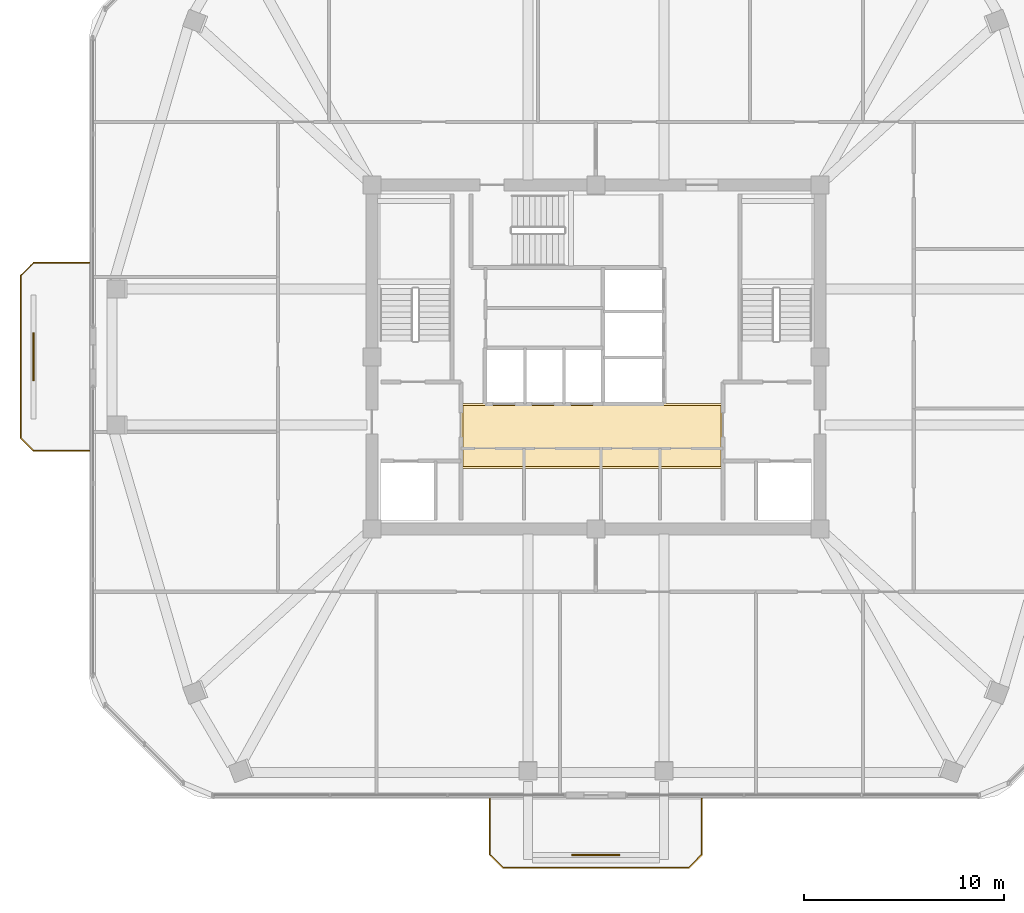
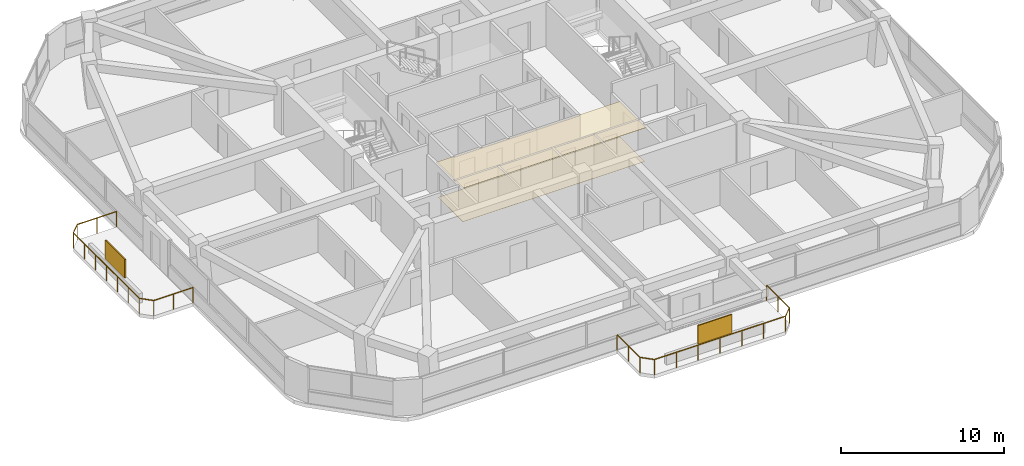
# One storey, part 12 of 13: 2 coverings, 2 railings, 2 shading devices.
"""IFC4 building model written with IfcOpenShell, lengths in metres."""

import ifcopenshell
import ifcopenshell.guid

model = None  # the IFC model being written
_history = None  # IfcOwnerHistory: only IFC2X3 demands one
_inside = {}  # id of a spatial element -> (the spatial element, [elements in it])
_under = {}  # id of a project, library or spatial element -> (it, [spatial elements below it])
_declared = {}  # id of a project -> (the project, [libraries it declares])
_typed = {}  # id of a type object -> (the type object, [elements of that type])
_made_of = {}  # id of a material, layer set ... -> (it, [elements and type objects made of it])


def new_model(schema):
    """Start an empty IFC model of exactly this schema.

    Asked for "IFC4X3", IfcOpenShell would pick the latest addendum, in which some entities
    have other attributes; the version numbers below select the first issue.
    IFC2X3 requires an IfcOwnerHistory on every rooted entity: one is made here for all.
    """
    global model, _history
    if schema == "IFC4X3":
        model = ifcopenshell.file(schema_version=(4, 3, 0, 0))
    else:
        model = ifcopenshell.file(schema=schema)
    _inside.clear()
    _under.clear()
    _declared.clear()
    _typed.clear()
    _made_of.clear()
    _history = None
    if model.schema == "IFC2X3":
        org = make("IfcOrganization", Name="unknown")
        user = make(
            "IfcPersonAndOrganization",
            ThePerson=make("IfcPerson", FamilyName="unknown"),
            TheOrganization=org,
        )
        app = make(
            "IfcApplication",
            ApplicationDeveloper=org,
            Version="unknown",
            ApplicationFullName="unknown",
            ApplicationIdentifier="unknown",
        )
        _history = make(
            "IfcOwnerHistory",
            OwningUser=user,
            OwningApplication=app,
            ChangeAction="ADDED",
            CreationDate=0,
        )
    return model


def make(cls, **values):
    """One entity of the class cls with the attributes given. An attribute that is None is left unset."""
    return model.create_entity(
        cls, **{name: value for name, value in values.items() if value is not None}
    )


def rooted(cls, **values):
    """An entity with a GlobalId (a new one), such as an element, a storey or a relation."""
    return make(cls, GlobalId=ifcopenshell.guid.new(), OwnerHistory=_history, **values)


def si_unit(unit_type, name, prefix=None):
    """IfcSIUnit, for example si_unit("LENGTHUNIT", "METRE", prefix="MILLI")."""
    return make("IfcSIUnit", UnitType=unit_type, Prefix=prefix, Name=name)


def derived_unit(unit_type, elements):
    """IfcDerivedUnit: a product of units, each with its exponent."""
    return make(
        "IfcDerivedUnit",
        Elements=[
            make("IfcDerivedUnitElement", Unit=unit, Exponent=power)
            for unit, power in elements
        ],
        UnitType=unit_type,
    )


def assignment(units):
    """IfcUnitAssignment: the units of a project."""
    return None if units is None else make("IfcUnitAssignment", Units=units)


def point(xyz):
    """IfcCartesianPoint."""
    return None if xyz is None else make("IfcCartesianPoint", Coordinates=xyz)


def direction(xyz):
    """IfcDirection."""
    return None if xyz is None else make("IfcDirection", DirectionRatios=xyz)


def frame(location, z_axis=None, x_axis=None):
    """IfcAxis2Placement3D, a coordinate frame: its origin and axes. An axis left out is left unset."""
    return make(
        "IfcAxis2Placement3D",
        Location=point(location),
        Axis=direction(z_axis),
        RefDirection=direction(x_axis),
    )


def frame_2d(location, x_axis=None):
    """IfcAxis2Placement2D, a coordinate frame in the plane: its origin and x axis."""
    return make(
        "IfcAxis2Placement2D", Location=point(location), RefDirection=direction(x_axis)
    )


def origin():
    """The frame at (0, 0, 0) with its axes left unset."""
    return frame((0.0, 0.0, 0.0))


def origin_2d():
    """The frame at (0, 0) in the plane with its x axis left unset."""
    return frame_2d((0.0, 0.0))


def place(relative_to, where):
    """IfcLocalPlacement: puts the frame where relative to a parent placement (None: the world)."""
    return make(
        "IfcLocalPlacement", PlacementRelTo=relative_to, RelativePlacement=where
    )


def context(
    kind, dimensions, precision=None, world=None, true_north=None, identifier=None
):
    """IfcGeometricRepresentationContext, for example the 3D "Model" context."""
    return make(
        "IfcGeometricRepresentationContext",
        ContextIdentifier=identifier,
        ContextType=kind,
        CoordinateSpaceDimension=dimensions,
        Precision=precision,
        WorldCoordinateSystem=world,
        TrueNorth=true_north,
    )


def subcontext(parent, identifier, kind, view, scale=None):
    """IfcGeometricRepresentationSubContext, for example "Body" below "Model"."""
    return make(
        "IfcGeometricRepresentationSubContext",
        ContextIdentifier=identifier,
        ContextType=kind,
        ParentContext=parent,
        TargetScale=scale,
        TargetView=view,
    )


def project(units=None, contexts=None):
    """IfcProject with its units and contexts."""
    return rooted(
        "IfcProject",
        Name="project",
        RepresentationContexts=contexts,
        UnitsInContext=assignment(units),
    )


def spatial(cls, under=None, at=None, **own):
    """A site, building, storey or space (cls), placed at a placement, below another one or the project."""
    s = rooted(cls, ObjectPlacement=at, **own)
    if under is not None:
        _under.setdefault(under.id(), (under, []))[1].append(s)
    return s


def polyline(points):
    """IfcPolyline through the points."""
    return make("IfcPolyline", Points=[point(p) for p in points])


def profile(cls, at=None, kind="AREA", **sizes):
    """A parametric profile (cls). Its sizes go by their IFC names, for example OverallWidth=200.0."""
    return make(cls, ProfileType=kind, Position=at, **sizes)


def rectangle(**sizes):
    """IfcRectangleProfileDef."""
    return profile("IfcRectangleProfileDef", **sizes)


def outline(outer, holes=None, kind="AREA"):
    """IfcArbitraryClosedProfileDef: a profile drawn as a closed curve; with holes, ...WithVoids."""
    if holes is None:
        return make("IfcArbitraryClosedProfileDef", ProfileType=kind, OuterCurve=outer)
    return make(
        "IfcArbitraryProfileDefWithVoids",
        ProfileType=kind,
        OuterCurve=outer,
        InnerCurves=holes,
    )


def extrude(swept, where, along, depth):
    """IfcExtrudedAreaSolid: the profile swept, set in the frame where, extruded along a direction by depth."""
    return make(
        "IfcExtrudedAreaSolid",
        SweptArea=swept,
        Position=where,
        ExtrudedDirection=direction(along),
        Depth=depth,
    )


def shape(context_of_items, identifier, shape_type, items):
    """IfcShapeRepresentation: the items that make up one representation, for example the "Body"."""
    return make(
        "IfcShapeRepresentation",
        ContextOfItems=context_of_items,
        RepresentationIdentifier=identifier,
        RepresentationType=shape_type,
        Items=items,
    )


def material(Name=None, Category=None):
    """IfcMaterial."""
    return make("IfcMaterial", Name=Name, Category=Category)


def layer(
    of_material, thickness, ventilated=None, Name=None, Category=None, Priority=None
):
    """IfcMaterialLayer: one layer of a wall or slab, of a material (None: an air gap)."""
    return make(
        "IfcMaterialLayer",
        Material=of_material,
        LayerThickness=thickness,
        IsVentilated=ventilated,
        Name=Name,
        Category=Category,
        Priority=Priority,
    )


def layer_set(layers, Name=None):
    """IfcMaterialLayerSet."""
    return make("IfcMaterialLayerSet", MaterialLayers=layers, LayerSetName=Name)


def made_of(thing, what):
    """Note that an element or type object is made of a material, layer set ...; save() writes the relation."""
    if what is not None:
        _made_of.setdefault(what.id(), (what, []))[1].append(thing)
    return thing


def type_object(cls, material=None, **own):
    """A type object (cls), such as IfcWallType, which elements share."""
    return made_of(rooted(cls, **own), material)


def element(
    cls,
    number,
    at=None,
    inside=None,
    cuts=None,
    type_object=None,
    material=None,
    context=None,
    identifier="Body",
    shape_type=None,
    held_by="IfcProductDefinitionShape",
    body=None,
    shapes=None,
    **own,
):
    """One element of the class cls, such as IfcWall. Its Tag is "e" and its number.

    at: its placement. inside: the storey or other place that contains it. cuts: it is an
    opening in that element (IfcRelVoidsElement). A single representation is given by context,
    identifier, shape_type and body (its items); several are given by shapes. held_by: the class
    of the entity that holds the representations. save() writes the other relations.
    """
    e = rooted(cls, Tag="e%d" % number, ObjectPlacement=at, **own)
    if body is not None:
        shapes = [shape(context, identifier, shape_type, body)]
    if shapes is not None:
        e.Representation = make(held_by, Representations=shapes)
    if inside is not None:
        _inside.setdefault(inside.id(), (inside, []))[1].append(e)
    if cuts is not None:
        rooted(
            "IfcRelVoidsElement", RelatingBuildingElement=cuts, RelatedOpeningElement=e
        )
    if type_object is not None:
        _typed.setdefault(type_object.id(), (type_object, []))[1].append(e)
    return made_of(e, material)


def aggregate(whole, parts):
    """IfcRelAggregates: a whole, such as a stair, and the parts it consists of."""
    return rooted("IfcRelAggregates", RelatingObject=whole, RelatedObjects=parts)


def save(model, path):
    """Write the relations noted so far, then the file.

    IfcRelAggregates (storeys below a building ...), IfcRelContainedInSpatialStructure (elements
    in a storey), IfcRelDefinesByType, IfcRelAssociatesMaterial and IfcRelDeclares: one each for
    every whole, place, type object, material and project.
    """
    for whole, parts in _under.values():
        aggregate(whole, parts)
    for where, things in _inside.values():
        rooted(
            "IfcRelContainedInSpatialStructure",
            RelatedElements=things,
            RelatingStructure=where,
        )
    for kind, things in _typed.values():
        rooted("IfcRelDefinesByType", RelatedObjects=things, RelatingType=kind)
    for what, things in _made_of.values():
        rooted("IfcRelAssociatesMaterial", RelatedObjects=things, RelatingMaterial=what)
    for by, libraries in _declared.values():
        rooted("IfcRelDeclares", RelatingContext=by, RelatedDefinitions=libraries)
    model.write(path)


model = new_model("IFC4")

# Units and contexts
model_context = context("Model", 3, precision=1e-05, world=origin(), true_north=direction((0.0, 1.0)))
body_context = subcontext(model_context, "Body", "Model", "MODEL_VIEW")
ifc_project = project(units=[si_unit("LENGTHUNIT", "METRE"), si_unit("AREAUNIT", "SQUARE_METRE"), si_unit("VOLUMEUNIT", "CUBIC_METRE"), si_unit("PLANEANGLEUNIT", "RADIAN"), si_unit("MASSUNIT", "GRAM", prefix="KILO"), derived_unit("THERMALTRANSMITTANCEUNIT", [(si_unit("POWERUNIT", "WATT"), 1), (si_unit("LENGTHUNIT", "METRE"), -2), (si_unit("THERMODYNAMICTEMPERATUREUNIT", "KELVIN"), -1)])], contexts=[model_context])

# Site, building, storey
site_placement = place(None, origin())
site = spatial("IfcSite", under=ifc_project, at=site_placement, CompositionType="ELEMENT")
building_placement = place(site_placement, origin())
building = spatial("IfcBuilding", under=site, at=building_placement, Name="Koralith Skygarden Medical Center", CompositionType="ELEMENT")
storey_placement = place(building_placement, frame((0.0, 0.0, 199.97998046875)))
storey = spatial("IfcBuildingStorey", under=building, at=storey_placement, Name="L51", CompositionType="ELEMENT", Elevation=199.97998046875)

# Covering
ifc_material_1 = material(Name="Acoustic Mineral Tile")
ifc_layer_1 = layer(ifc_material_1, 0.02001953125)
ifc_layer_set_1 = layer_set([ifc_layer_1], Name="Acoustic Mineral Tile")
covering_type_1 = type_object("IfcCoveringType", Name="Acoustic Hygienic Mineral Ceiling 20", PredefinedType="CEILING", material=ifc_layer_set_1)
covering_1_placement = place(storey_placement, frame((0.0, 0.0, 2.5849609375)))
element("IfcCovering", 1, at=covering_1_placement, inside=storey, type_object=covering_type_1, Name="L51 Core Lobby Acoustic Ceiling", PredefinedType="CEILING", context=body_context, shape_type="SweptSolid", body=[
    extrude(outline(polyline([(30.25, 20.320068359375), (43.35009765625, 20.320068359375), (43.35009765625, 23.56005859375), (30.25, 23.56005859375), (30.25, 20.320068359375)])), origin(), (0.0, 0.0, 1.0), 0.02001953125),
])

# Railings
ifc_material_2 = material(Name="Steel ASTM A500 Grade C", Category="steel")
railing_type = type_object("IfcRailingType", Name="Outdoor Terrace & Balcony Safety Guardrail 1180", PredefinedType="GUARDRAIL", material=ifc_material_2)
railing_1_placement = place(storey_placement, frame((31.699951171875, 3.7939453125, 0.0)))
element("IfcRailing", 2, at=railing_1_placement, inside=storey, type_object=railing_type, Name="L51 S Balcony Perimeter Guardrail", PredefinedType="GUARDRAIL", context=body_context, shape_type="SweptSolid", body=[
    extrude(rectangle(XDim=0.050048828125, YDim=0.050048828125, at=origin_2d()), frame((0.0, -0.001953125, 1.15478515625), z_axis=(0.0, -1.0, 0.0), x_axis=(1.0, 0.0, 0.0)), (0.0, 0.0, 1.0), 2.796142578125),
    extrude(rectangle(XDim=0.050048828125, YDim=0.050048828125, at=origin_2d()), frame((0.00146484375, -2.801513671875, 1.15478515625), z_axis=(0.707239558722, -0.706973978714, 0.0), x_axis=(0.706973978714, 0.707239558722, 0.0)), (0.0, 0.0, 1.0), 0.915283203125),
    extrude(rectangle(XDim=0.050048828125, YDim=0.050048828125, at=origin_2d()), frame((0.652099609375, -3.449951171875, 1.15478515625), z_axis=(1.0, 0.0, 0.0), x_axis=(0.0, 1.0, 0.0)), (0.0, 0.0, 1.0), 9.2958984375),
    extrude(rectangle(XDim=0.050048828125, YDim=0.050048828125, at=origin_2d()), frame((9.951416015625, -3.448486328125, 1.15478515625), z_axis=(0.707239558722, 0.706973978714, 0.0), x_axis=(-0.706973978714, 0.707239558722, 0.0)), (0.0, 0.0, 1.0), 0.915283203125),
    extrude(rectangle(XDim=0.050048828125, YDim=0.050048828125, at=origin_2d()), frame((10.60009765625, -2.798095703125, 1.15478515625), z_axis=(0.0, 1.0, 0.0), x_axis=(-1.0, 0.0, 0.0)), (0.0, 0.0, 1.0), 2.796142578125),
    extrude(rectangle(XDim=0.0419921875, YDim=0.0419921875, at=origin_2d()), origin(), (0.0, 0.0, 1.0), 1.1279296875),
    extrude(rectangle(XDim=0.0419921875, YDim=0.0419921875, at=origin_2d()), frame((0.0, -1.39990234375, 0.0)), (0.0, 0.0, 1.0), 1.1279296875),
    extrude(rectangle(XDim=0.0419921875, YDim=0.0419921875, at=origin_2d()), frame((0.0, -2.800048828125, 0.0)), (0.0, 0.0, 1.0), 1.1279296875),
    extrude(rectangle(XDim=0.0419921875, YDim=0.0419921875, at=origin_2d()), frame((0.650146484375, -3.449951171875, 0.0)), (0.0, 0.0, 1.0), 1.1279296875),
    extrude(rectangle(XDim=0.0419921875, YDim=0.0419921875, at=origin_2d()), frame((2.2001953125, -3.449951171875, 0.0)), (0.0, 0.0, 1.0), 1.1279296875),
    extrude(rectangle(XDim=0.0419921875, YDim=0.0419921875, at=origin_2d()), frame((3.75, -3.449951171875, 0.0)), (0.0, 0.0, 1.0), 1.1279296875),
    extrude(rectangle(XDim=0.0419921875, YDim=0.0419921875, at=origin_2d()), frame((5.300048828125, -3.449951171875, 0.0)), (0.0, 0.0, 1.0), 1.1279296875),
    extrude(rectangle(XDim=0.0419921875, YDim=0.0419921875, at=origin_2d()), frame((6.85009765625, -3.449951171875, 0.0)), (0.0, 0.0, 1.0), 1.1279296875),
    extrude(rectangle(XDim=0.0419921875, YDim=0.0419921875, at=origin_2d()), frame((8.39990234375, -3.449951171875, 0.0)), (0.0, 0.0, 1.0), 1.1279296875),
    extrude(rectangle(XDim=0.0419921875, YDim=0.0419921875, at=origin_2d()), frame((9.949951171875, -3.449951171875, 0.0)), (0.0, 0.0, 1.0), 1.1279296875),
    extrude(rectangle(XDim=0.0419921875, YDim=0.0419921875, at=origin_2d()), frame((10.60009765625, -2.800048828125, 0.0)), (0.0, 0.0, 1.0), 1.1279296875),
    extrude(rectangle(XDim=0.0419921875, YDim=0.0419921875, at=origin_2d()), frame((10.60009765625, -1.39990234375, 0.0)), (0.0, 0.0, 1.0), 1.1279296875),
    extrude(rectangle(XDim=0.0419921875, YDim=0.0419921875, at=origin_2d()), frame((10.60009765625, 0.0, 0.0)), (0.0, 0.0, 1.0), 1.1279296875),
])
railing_2_placement = place(storey_placement, frame((11.672119140625, 21.199951171875, 0.0)))
element("IfcRailing", 3, at=railing_2_placement, inside=storey, type_object=railing_type, Name="L51 W Balcony Perimeter Guardrail", PredefinedType="GUARDRAIL", context=body_context, shape_type="SweptSolid", body=[
    extrude(rectangle(XDim=0.050048828125, YDim=0.050048828125, at=origin_2d()), frame((-0.001953125, 0.0, 1.15478515625), z_axis=(-1.0, 0.0, 0.0), x_axis=(0.0, -1.0, 0.0)), (0.0, 0.0, 1.0), 2.796142578125),
    extrude(rectangle(XDim=0.050048828125, YDim=0.050048828125, at=origin_2d()), frame((-2.801513671875, 0.00146484375, 1.15478515625), z_axis=(-0.707106781187, 0.707106781187, 0.0), x_axis=(-0.707106781187, -0.707106781187, 0.0)), (0.0, 0.0, 1.0), 0.91552734375),
    extrude(rectangle(XDim=0.050048828125, YDim=0.050048828125, at=origin_2d()), frame((-3.4501953125, 0.652099609375, 1.15478515625), z_axis=(0.0, 1.0, 0.0), x_axis=(-1.0, 0.0, 0.0)), (0.0, 0.0, 1.0), 8.095947265625),
    extrude(rectangle(XDim=0.050048828125, YDim=0.050048828125, at=origin_2d()), frame((-3.44873046875, 8.75146484375, 1.15478515625), z_axis=(0.707106781187, 0.707106781187, 0.0), x_axis=(-0.707106781187, 0.707106781187, 0.0)), (0.0, 0.0, 1.0), 0.91552734375),
    extrude(rectangle(XDim=0.050048828125, YDim=0.050048828125, at=origin_2d()), frame((-2.798095703125, 9.400146484375, 1.15478515625), z_axis=(1.0, 0.0, 0.0), x_axis=(0.0, 1.0, 0.0)), (0.0, 0.0, 1.0), 2.796142578125),
    extrude(rectangle(XDim=0.0419921875, YDim=0.0419921875, at=origin_2d()), origin(), (0.0, 0.0, 1.0), 1.1279296875),
    extrude(rectangle(XDim=0.0419921875, YDim=0.0419921875, at=origin_2d()), frame((-1.39990234375, 0.0, 0.0)), (0.0, 0.0, 1.0), 1.1279296875),
    extrude(rectangle(XDim=0.0419921875, YDim=0.0419921875, at=origin_2d()), frame((-2.800048828125, 0.0, 0.0)), (0.0, 0.0, 1.0), 1.1279296875),
    extrude(rectangle(XDim=0.0419921875, YDim=0.0419921875, at=origin_2d()), frame((-3.4501953125, 0.650146484375, 0.0)), (0.0, 0.0, 1.0), 1.1279296875),
    extrude(rectangle(XDim=0.0419921875, YDim=0.0419921875, at=origin_2d()), frame((-3.4501953125, 2.0, 0.0)), (0.0, 0.0, 1.0), 1.1279296875),
    extrude(rectangle(XDim=0.0419921875, YDim=0.0419921875, at=origin_2d()), frame((-3.4501953125, 3.35009765625, 0.0)), (0.0, 0.0, 1.0), 1.1279296875),
    extrude(rectangle(XDim=0.0419921875, YDim=0.0419921875, at=origin_2d()), frame((-3.4501953125, 4.7001953125, 0.0)), (0.0, 0.0, 1.0), 1.1279296875),
    extrude(rectangle(XDim=0.0419921875, YDim=0.0419921875, at=origin_2d()), frame((-3.4501953125, 6.050048828125, 0.0)), (0.0, 0.0, 1.0), 1.1279296875),
    extrude(rectangle(XDim=0.0419921875, YDim=0.0419921875, at=origin_2d()), frame((-3.4501953125, 7.39990234375, 0.0)), (0.0, 0.0, 1.0), 1.1279296875),
    extrude(rectangle(XDim=0.0419921875, YDim=0.0419921875, at=origin_2d()), frame((-3.4501953125, 8.75, 0.0)), (0.0, 0.0, 1.0), 1.1279296875),
    extrude(rectangle(XDim=0.0419921875, YDim=0.0419921875, at=origin_2d()), frame((-2.800048828125, 9.400146484375, 0.0)), (0.0, 0.0, 1.0), 1.1279296875),
    extrude(rectangle(XDim=0.0419921875, YDim=0.0419921875, at=origin_2d()), frame((-1.39990234375, 9.400146484375, 0.0)), (0.0, 0.0, 1.0), 1.1279296875),
    extrude(rectangle(XDim=0.0419921875, YDim=0.0419921875, at=origin_2d()), frame((0.0, 9.400146484375, 0.0)), (0.0, 0.0, 1.0), 1.1279296875),
])

# Shading devices
ifc_material_3 = material(Name="Aluminium 6063-T6", Category="aluminium")
ifc_layer_2 = layer(ifc_material_3, 0.080078125)
ifc_layer_set_2 = layer_set([ifc_layer_2], Name="Aluminium 6063-T6")
shading_device_type = type_object("IfcShadingDeviceType", Name="Perforated Biophilic Balcony Trellis Screen", PredefinedType="USERDEFINED", material=ifc_layer_set_2)
for number, where, z_axis, x_axis, name in (
    (4, (37.0, 0.993896484375, 0.719970703125), (0.0, 0.0, 1.0), (1.0, 0.0, 0.0), "L51 S Biophilic Balcony Trellis Screen"),
    (5, (8.8720703125, 25.89990234375, 0.719970703125), (0.0, 0.0, 1.0), (0.0, 1.0, 0.0), "L51 W Biophilic Balcony Trellis Screen"),
):
    element("IfcShadingDevice", number, at=place(storey_placement, frame(where, z_axis=z_axis, x_axis=x_axis)), inside=storey, type_object=shading_device_type, Name=name, ObjectType="HURRICANE SCREEN", PredefinedType="USERDEFINED", context=body_context, shape_type="SweptSolid", body=[
        extrude(rectangle(XDim=2.39990234375, YDim=0.080078125, at=origin_2d()), origin(), (0.0, 0.0, 1.0), 1.39990234375),
    ])

# Covering
ifc_material_4 = material(Name="Medical Terrazzo Flooring")
ifc_layer_3 = layer(ifc_material_4, 0.014892578125)
ifc_layer_set_3 = layer_set([ifc_layer_3], Name="Medical Terrazzo Flooring")
covering_type_2 = type_object("IfcCoveringType", Name="Seamless Antimicrobial Terrazzo Flooring 15", PredefinedType="FLOORING", material=ifc_layer_set_3)
covering_2_placement = place(storey_placement, origin())
element("IfcCovering", 6, at=covering_2_placement, inside=storey, type_object=covering_type_2, Name="L51 Core Lobby Terrazzo Flooring", PredefinedType="FLOORING", context=body_context, shape_type="SweptSolid", body=[
    extrude(outline(polyline([(30.35009765625, 20.419921875), (43.25, 20.419921875), (43.25, 23.4599609375), (30.35009765625, 23.4599609375), (30.35009765625, 20.419921875)])), origin(), (0.0, 0.0, 1.0), 0.01513671875),
])

save(model, "model.ifc")
